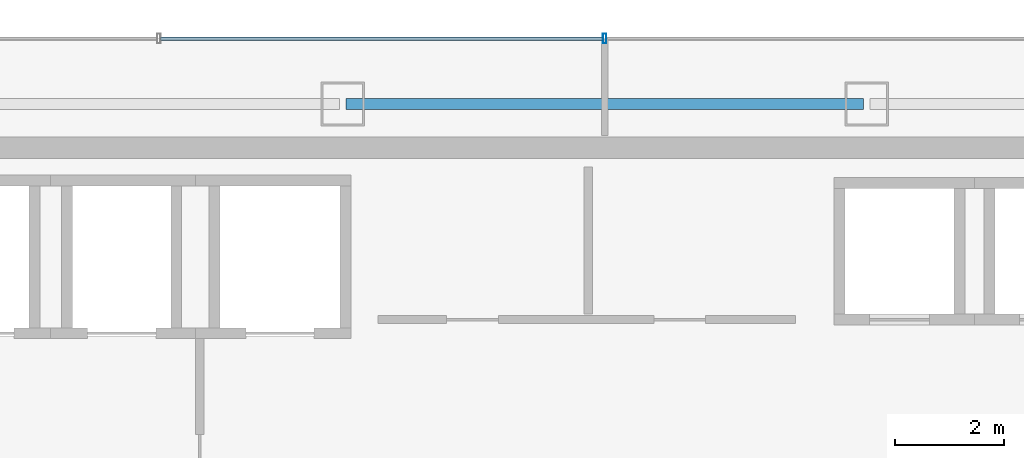
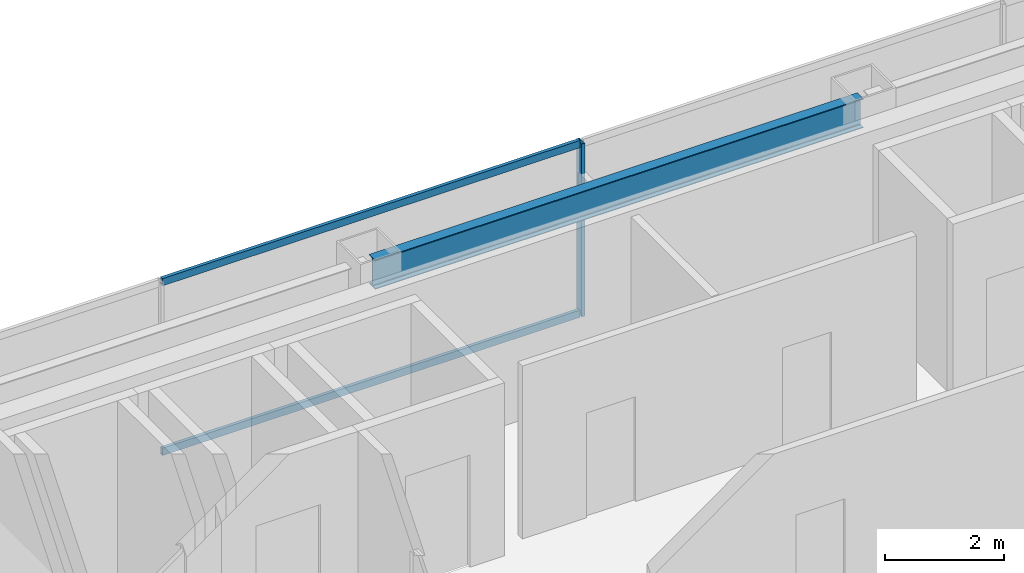
# One storey, part 18 of 31: 3 members, 1 beam, 1 element without a shape of its own.
"""IFC4 building model written with IfcOpenShell, lengths in metres."""

from ifc_helpers import new_model, si_unit, direction, frame, origin, origin_2d, place, context, subcontext, project, spatial, hollow_rectangle, i_section, extrude, material, material_profile, profile_set, type_object, element, aggregate, save


model = new_model("IFC4")

# Units and contexts
model_context = context("Model", 3, precision=1e-05, world=origin(), true_north=direction((0.0, 1.0)))
body_context = subcontext(model_context, "Body", "Model", "MODEL_VIEW")
ifc_project = project(units=[si_unit("LENGTHUNIT", "METRE"), si_unit("AREAUNIT", "SQUARE_METRE"), si_unit("VOLUMEUNIT", "CUBIC_METRE"), si_unit("PLANEANGLEUNIT", "RADIAN"), si_unit("MASSUNIT", "GRAM", prefix="KILO")], contexts=[model_context])

# Site, building, storey
site_placement = place(None, origin())
site = spatial("IfcSite", under=ifc_project, at=site_placement, CompositionType="ELEMENT")
building_placement = place(site_placement, origin())
building = spatial("IfcBuilding", under=site, at=building_placement, Name="Saevonmaru Cultural Tower", CompositionType="ELEMENT")
storey_placement = place(building_placement, frame((0.0, 0.0, 230.60009765625)))
storey = spatial("IfcBuildingStorey", under=building, at=storey_placement, Name="L53", CompositionType="ELEMENT", Elevation=230.60009765625)

# Beam
ifc_material_1 = material(Name="Steel SM355", Category="steel")
ifc_material_profile_1 = material_profile(ifc_material_1, i_section(OverallWidth=0.199951171875, OverallDepth=0.60009765625, WebThickness=0.010986328125, FlangeThickness=0.01708984375, FilletRadius=0.02197265625, at=origin_2d()), Name="H-600x200x11x17")
ifc_profile_set_1 = profile_set([ifc_material_profile_1], Name="Steel SM355")
beam_type = type_object("IfcBeamType", Name="BM-SP-H600", PredefinedType="SPANDREL", material=ifc_profile_set_1)
beam_placement = place(storey_placement, frame((25.260009765625, 54.800048828125, 3.25), z_axis=(1.0, 0.0, 0.0), x_axis=(0.0, 1.0, 0.0)))
element("IfcBeam", 1, at=beam_placement, inside=storey, type_object=beam_type, Name="L53 North Spine Girder 3", PredefinedType="SPANDREL", context=body_context, shape_type="SweptSolid", body=[
    extrude(i_section(OverallWidth=0.199951171875, OverallDepth=0.60009765625, WebThickness=0.010986328125, FlangeThickness=0.01708984375, FilletRadius=0.02197265625, at=origin_2d()), origin(), (0.0, 0.0, 1.0), 9.47998046875),
])

# Curtain wall, members
ifc_material_2 = material(Name="Satin Bronze Anodised Aluminium", Category="aluminium")
curtain_wall_type = type_object("IfcCurtainWallType", Name="CW-SKY-GLZ", PredefinedType="NOTDEFINED", material=ifc_material_2)
curtain_wall_placement = place(storey_placement, origin())
curtain_wall = element("IfcCurtainWall", 2, at=curtain_wall_placement, inside=storey, type_object=curtain_wall_type, Name="L53 North Spine Unitised Curtain Wall E10B", PredefinedType="NOTDEFINED")
ifc_material_profile_2 = material_profile(ifc_material_2, hollow_rectangle(XDim=0.06494140625, YDim=0.179931640625, WallThickness=0.00390625, at=origin_2d()), Name="ALU-MULL-180x65x4")
ifc_profile_set_2 = profile_set([ifc_material_profile_2], Name="Satin Bronze Anodised Aluminium")
member_type_1 = type_object("IfcMemberType", Name="ML-CW-180x65", PredefinedType="MULLION", material=ifc_profile_set_2)
member_1_placement = place(storey_placement, frame((30.0, 56.0, 0.0), z_axis=(0.0, 0.0, 1.0), x_axis=(-1.0, 0.0, 0.0)))
member_1 = element("IfcMember", 3, at=member_1_placement, type_object=member_type_1, Name="CW-TW-L53-E10B mullion 3", PredefinedType="MULLION", context=body_context, shape_type="SweptSolid", body=[
    extrude(hollow_rectangle(XDim=0.06494140625, YDim=0.179931640625, WallThickness=0.00390625, at=origin_2d()), origin(), (0.0, 0.0, 1.0), 3.5498046875),
])
ifc_material_profile_3 = material_profile(ifc_material_2, hollow_rectangle(XDim=0.06494140625, YDim=0.14990234375, WallThickness=0.00390625, at=origin_2d()), Name="ALU-TRAN-150x65x4")
ifc_profile_set_3 = profile_set([ifc_material_profile_3], Name="Satin Bronze Anodised Aluminium")
member_type_2 = type_object("IfcMemberType", Name="TR-CW-150x65", PredefinedType="USERDEFINED", material=ifc_profile_set_3)
member_2_placement = place(storey_placement, frame((29.967529296875, 56.0, 0.032470703125), z_axis=(-1.0, 0.0, 0.0), x_axis=(0.0, -1.0, 0.0)))
member_2 = element("IfcMember", 4, at=member_2_placement, type_object=member_type_2, Name="CW-TW-L53-E10B transom 3.1", ObjectType="TRANSOM", PredefinedType="USERDEFINED", context=body_context, shape_type="SweptSolid", body=[
    extrude(hollow_rectangle(XDim=0.06494140625, YDim=0.14990234375, WallThickness=0.00390625, at=origin_2d()), origin(), (0.0, 0.0, 1.0), 8.10498046875),
])
member_3_placement = place(storey_placement, frame((29.967529296875, 56.0, 3.517333984375), z_axis=(-1.0, 0.0, 0.0), x_axis=(0.0, -1.0, 0.0)))
member_3 = element("IfcMember", 5, at=member_3_placement, type_object=member_type_2, Name="CW-TW-L53-E10B transom 3.2", ObjectType="TRANSOM", PredefinedType="USERDEFINED", context=body_context, shape_type="SweptSolid", body=[
    extrude(hollow_rectangle(XDim=0.06494140625, YDim=0.14990234375, WallThickness=0.00390625, at=origin_2d()), origin(), (0.0, 0.0, 1.0), 8.10498046875),
])
aggregate(curtain_wall, [member_1, member_2, member_3])

save(model, "model.ifc")
